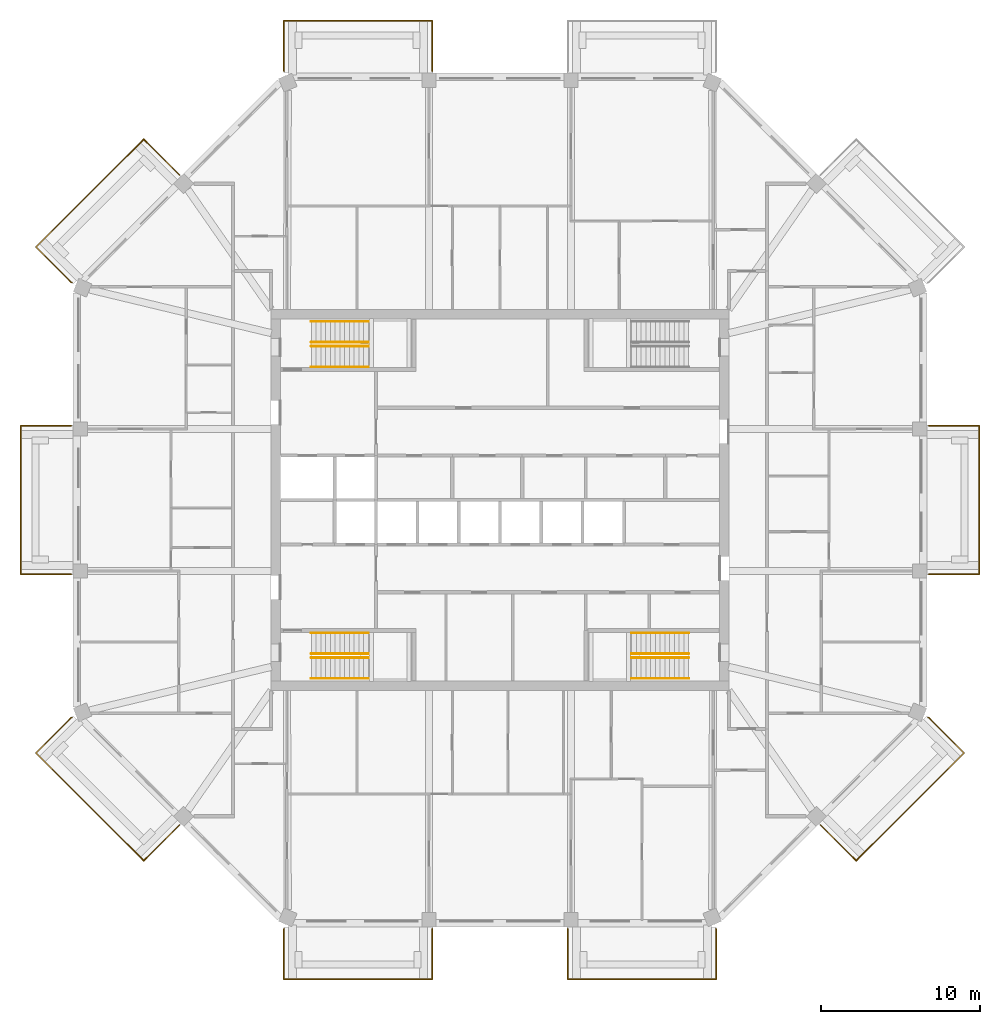
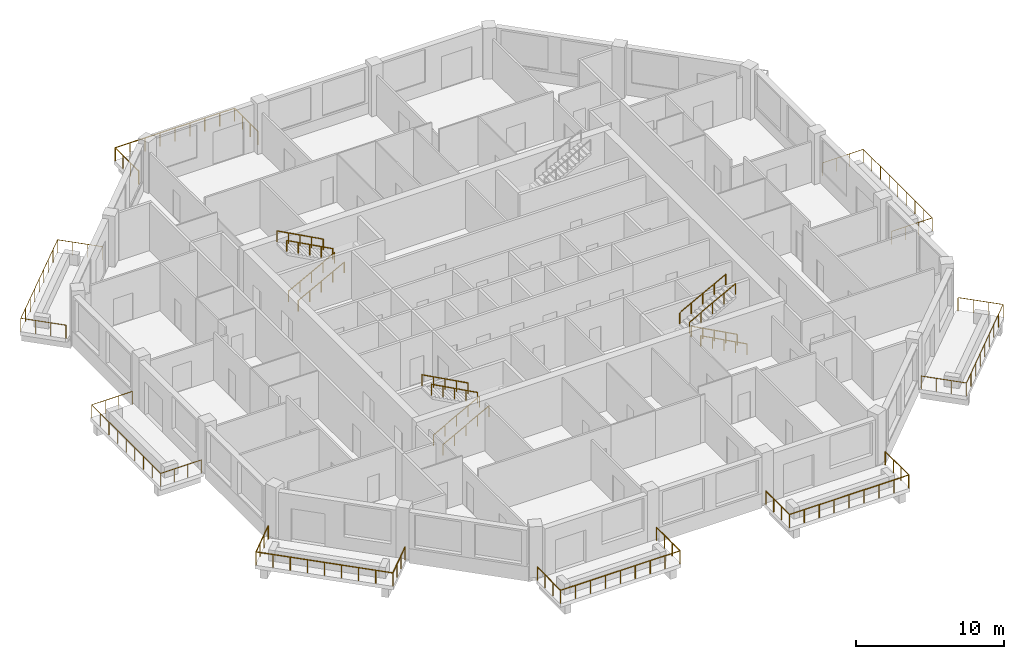
# One storey, part 11 of 12: 20 railings.
"""IFC4 building model written with IfcOpenShell, lengths in metres."""

from ifc_helpers import new_model, si_unit, direction, frame, origin, origin_2d, place, context, subcontext, project, spatial, circle, extrude, material, constituent, constituent_set, type_object, element, save


model = new_model("IFC4")

# Units and contexts
model_context = context("Model", 3, precision=1e-05, world=origin(), true_north=direction((0.0, 1.0)))
body_context = subcontext(model_context, "Body", "Model", "MODEL_VIEW")
ifc_project = project(units=[si_unit("LENGTHUNIT", "METRE"), si_unit("AREAUNIT", "SQUARE_METRE"), si_unit("VOLUMEUNIT", "CUBIC_METRE"), si_unit("PLANEANGLEUNIT", "RADIAN"), si_unit("MASSUNIT", "GRAM", prefix="KILO")], contexts=[model_context])

# Site, building, storey
site_placement = place(None, origin())
site = spatial("IfcSite", under=ifc_project, at=site_placement, CompositionType="ELEMENT")
building_placement = place(site_placement, origin())
building = spatial("IfcBuilding", under=site, at=building_placement, Name="Msitu Wima Residences", CompositionType="ELEMENT")
storey_placement = place(building_placement, frame((0.0, 0.0, 218.10009765625)))
storey = spatial("IfcBuildingStorey", under=building, at=storey_placement, Name="L50", CompositionType="ELEMENT", Elevation=218.10009765625)

# Railings
ifc_material_1 = material(Name="Steel S355", Category="steel")
ifc_constituent_1 = constituent(ifc_material_1, Name="Steel S355")
ifc_material_2 = material(Name="Weathering patina")
ifc_constituent_2 = constituent(ifc_material_2, Name="Weathering patina")
ifc_constituent_set_1 = constituent_set(constituents=[ifc_constituent_1, ifc_constituent_2], Name="Steel S355")
railing_type_1 = type_object("IfcRailingType", Name="Balcony guard GR1100", PredefinedType="GUARDRAIL", material=ifc_constituent_set_1)
railing_1_placement = place(storey_placement, frame((26.97998046875, 4.668701171875, 0.0)))
element("IfcRailing", 1, at=railing_1_placement, inside=storey, type_object=railing_type_1, Name="Balcony guard E1 L50", PredefinedType="GUARDRAIL", context=body_context, shape_type="SweptSolid", body=[
    extrude(circle(Radius=0.02392578125, at=origin_2d()), frame((0.0, 0.0, 1.076171875), z_axis=(1.0, 0.0, 0.0), x_axis=(0.0, 1.0, 0.0)), (0.0, 0.0, 1.0), 3.169921875),
    extrude(circle(Radius=0.02392578125, at=origin_2d()), frame((3.169921875, 0.0, 1.076171875), z_axis=(0.0, -1.0, 0.0), x_axis=(1.0, 0.0, 0.0)), (0.0, 0.0, 1.0), 9.33740234375),
    extrude(circle(Radius=0.02392578125, at=origin_2d()), frame((3.169921875, -9.33740234375, 1.076171875), z_axis=(-1.0, 0.0, 0.0), x_axis=(0.0, -1.0, 0.0)), (0.0, 0.0, 1.0), 3.169921875),
    extrude(circle(Radius=0.02099609375, at=origin_2d()), origin(), (0.0, 0.0, 1.0), 1.052001953125),
    extrude(circle(Radius=0.02099609375, at=origin_2d()), frame((1.056640625, 0.0, 0.0)), (0.0, 0.0, 1.0), 1.052001953125),
    extrude(circle(Radius=0.02099609375, at=origin_2d()), frame((2.11328125, 0.0, 0.0)), (0.0, 0.0, 1.0), 1.052001953125),
    extrude(circle(Radius=0.02099609375, at=origin_2d()), frame((3.169921875, 0.0, 0.0)), (0.0, 0.0, 1.0), 1.052001953125),
    extrude(circle(Radius=0.02099609375, at=origin_2d()), frame((3.169921875, -1.167236328125, 0.0)), (0.0, 0.0, 1.0), 1.052001953125),
    extrude(circle(Radius=0.02099609375, at=origin_2d()), frame((3.169921875, -2.33447265625, 0.0)), (0.0, 0.0, 1.0), 1.052001953125),
    extrude(circle(Radius=0.02099609375, at=origin_2d()), frame((3.169921875, -3.50146484375, 0.0)), (0.0, 0.0, 1.0), 1.052001953125),
    extrude(circle(Radius=0.02099609375, at=origin_2d()), frame((3.169921875, -4.668701171875, 0.0)), (0.0, 0.0, 1.0), 1.052001953125),
    extrude(circle(Radius=0.02099609375, at=origin_2d()), frame((3.169921875, -5.8359375, 0.0)), (0.0, 0.0, 1.0), 1.052001953125),
    extrude(circle(Radius=0.02099609375, at=origin_2d()), frame((3.169921875, -7.0029296875, 0.0)), (0.0, 0.0, 1.0), 1.052001953125),
    extrude(circle(Radius=0.02099609375, at=origin_2d()), frame((3.169921875, -8.170166015625, 0.0)), (0.0, 0.0, 1.0), 1.052001953125),
    extrude(circle(Radius=0.02099609375, at=origin_2d()), frame((3.169921875, -9.33740234375, 0.0)), (0.0, 0.0, 1.0), 1.052001953125),
    extrude(circle(Radius=0.02099609375, at=origin_2d()), frame((2.11328125, -9.33740234375, 0.0)), (0.0, 0.0, 1.0), 1.052001953125),
    extrude(circle(Radius=0.02099609375, at=origin_2d()), frame((1.056640625, -9.33740234375, 0.0)), (0.0, 0.0, 1.0), 1.052001953125),
    extrude(circle(Radius=0.02099609375, at=origin_2d()), frame((0.0, -9.33740234375, 0.0)), (0.0, 0.0, 1.0), 1.052001953125),
])
railing_2_placement = place(storey_placement, frame((-13.592041015625, 26.97998046875, 0.0)))
element("IfcRailing", 2, at=railing_2_placement, inside=storey, type_object=railing_type_1, Name="Balcony guard N2 L50", PredefinedType="GUARDRAIL", context=body_context, shape_type="SweptSolid", body=[
    extrude(circle(Radius=0.02392578125, at=origin_2d()), frame((0.0, 0.0, 1.076171875), z_axis=(-0.384136806859, 0.923276184907, 0.0), x_axis=(-0.923276184907, -0.384136806859, 0.0)), (0.0, 0.0, 1.0), 0.0361328125),
    extrude(circle(Radius=0.02392578125, at=origin_2d()), frame((-0.013916015625, 0.033447265625, 1.076171875), z_axis=(0.0, 1.0, 0.0), x_axis=(-1.0, 0.0, 0.0)), (0.0, 0.0, 1.0), 3.136474609375),
    extrude(circle(Radius=0.02392578125, at=origin_2d()), frame((-0.013916015625, 3.169921875, 1.076171875), z_axis=(1.0, 0.0, 0.0), x_axis=(0.0, 1.0, 0.0)), (0.0, 0.0, 1.0), 9.33740234375),
    extrude(circle(Radius=0.02392578125, at=origin_2d()), frame((9.323486328125, 3.169921875, 1.076171875), z_axis=(0.0, -1.0, 0.0), x_axis=(1.0, 0.0, 0.0)), (0.0, 0.0, 1.0), 3.169921875),
    extrude(circle(Radius=0.02099609375, at=origin_2d()), origin(), (0.0, 0.0, 1.0), 1.052001953125),
    extrude(circle(Radius=0.02099609375, at=origin_2d()), frame((-0.013916015625, 0.033447265625, 0.0)), (0.0, 0.0, 1.0), 1.052001953125),
    extrude(circle(Radius=0.02099609375, at=origin_2d()), frame((-0.013916015625, 1.078857421875, 0.0)), (0.0, 0.0, 1.0), 1.052001953125),
    extrude(circle(Radius=0.02099609375, at=origin_2d()), frame((-0.013916015625, 2.12451171875, 0.0)), (0.0, 0.0, 1.0), 1.052001953125),
    extrude(circle(Radius=0.02099609375, at=origin_2d()), frame((-0.013916015625, 3.169921875, 0.0)), (0.0, 0.0, 1.0), 1.052001953125),
    extrude(circle(Radius=0.02099609375, at=origin_2d()), frame((1.1533203125, 3.169921875, 0.0)), (0.0, 0.0, 1.0), 1.052001953125),
    extrude(circle(Radius=0.02099609375, at=origin_2d()), frame((2.3203125, 3.169921875, 0.0)), (0.0, 0.0, 1.0), 1.052001953125),
    extrude(circle(Radius=0.02099609375, at=origin_2d()), frame((3.487548828125, 3.169921875, 0.0)), (0.0, 0.0, 1.0), 1.052001953125),
    extrude(circle(Radius=0.02099609375, at=origin_2d()), frame((4.65478515625, 3.169921875, 0.0)), (0.0, 0.0, 1.0), 1.052001953125),
    extrude(circle(Radius=0.02099609375, at=origin_2d()), frame((5.822021484375, 3.169921875, 0.0)), (0.0, 0.0, 1.0), 1.052001953125),
    extrude(circle(Radius=0.02099609375, at=origin_2d()), frame((6.9892578125, 3.169921875, 0.0)), (0.0, 0.0, 1.0), 1.052001953125),
    extrude(circle(Radius=0.02099609375, at=origin_2d()), frame((8.15625, 3.169921875, 0.0)), (0.0, 0.0, 1.0), 1.052001953125),
    extrude(circle(Radius=0.02099609375, at=origin_2d()), frame((9.323486328125, 3.169921875, 0.0)), (0.0, 0.0, 1.0), 1.052001953125),
    extrude(circle(Radius=0.02099609375, at=origin_2d()), frame((9.323486328125, 2.11328125, 0.0)), (0.0, 0.0, 1.0), 1.052001953125),
    extrude(circle(Radius=0.02099609375, at=origin_2d()), frame((9.323486328125, 1.056640625, 0.0)), (0.0, 0.0, 1.0), 1.052001953125),
    extrude(circle(Radius=0.02099609375, at=origin_2d()), frame((9.323486328125, 0.0, 0.0)), (0.0, 0.0, 1.0), 1.052001953125),
])
railing_3_placement = place(storey_placement, frame((-26.941650390625, 13.684326171875, 0.0)))
element("IfcRailing", 3, at=railing_3_placement, inside=storey, type_object=railing_type_1, Name="Balcony guard NW1 L50", PredefinedType="GUARDRAIL", context=body_context, shape_type="SweptSolid", body=[
    extrude(circle(Radius=0.02392578125, at=origin_2d()), frame((0.0, 0.0, 1.076171875), z_axis=(-0.92426142649, 0.38176015442, 0.0), x_axis=(-0.38176015442, -0.92426142649, 0.0)), (0.0, 0.0, 1.0), 0.036376953125),
    extrude(circle(Radius=0.02392578125, at=origin_2d()), frame((-0.03369140625, 0.013916015625, 1.076171875), z_axis=(-0.707106781187, 0.707106781187, 0.0), x_axis=(-0.707106781187, -0.707106781187, 0.0)), (0.0, 0.0, 1.0), 3.136474609375),
    extrude(circle(Radius=0.02392578125, at=origin_2d()), frame((-2.25146484375, 2.231689453125, 1.076171875), z_axis=(0.707106781187, 0.707106781187, 0.0), x_axis=(-0.707106781187, 0.707106781187, 0.0)), (0.0, 0.0, 1.0), 9.58837890625),
    extrude(circle(Radius=0.02392578125, at=origin_2d()), frame((4.528564453125, 9.01171875, 1.076171875), z_axis=(0.707106781187, -0.707106781187, 0.0), x_axis=(0.707106781187, 0.707106781187, 0.0)), (0.0, 0.0, 1.0), 3.169921875),
    extrude(circle(Radius=0.02099609375, at=origin_2d()), origin(), (0.0, 0.0, 1.0), 1.052001953125),
    extrude(circle(Radius=0.02099609375, at=origin_2d()), frame((-0.03369140625, 0.013916015625, 0.0)), (0.0, 0.0, 1.0), 1.052001953125),
    extrude(circle(Radius=0.02099609375, at=origin_2d()), frame((-0.77294921875, 0.753173828125, 0.0)), (0.0, 0.0, 1.0), 1.052001953125),
    extrude(circle(Radius=0.02099609375, at=origin_2d()), frame((-1.51220703125, 1.492431640625, 0.0)), (0.0, 0.0, 1.0), 1.052001953125),
    extrude(circle(Radius=0.02099609375, at=origin_2d()), frame((-2.25146484375, 2.231689453125, 0.0)), (0.0, 0.0, 1.0), 1.052001953125),
    extrude(circle(Radius=0.02099609375, at=origin_2d()), frame((-1.404052734375, 3.0791015625, 0.0)), (0.0, 0.0, 1.0), 1.052001953125),
    extrude(circle(Radius=0.02099609375, at=origin_2d()), frame((-0.556396484375, 3.9267578125, 0.0)), (0.0, 0.0, 1.0), 1.052001953125),
    extrude(circle(Radius=0.02099609375, at=origin_2d()), frame((0.291015625, 4.774169921875, 0.0)), (0.0, 0.0, 1.0), 1.052001953125),
    extrude(circle(Radius=0.02099609375, at=origin_2d()), frame((1.138671875, 5.62158203125, 0.0)), (0.0, 0.0, 1.0), 1.052001953125),
    extrude(circle(Radius=0.02099609375, at=origin_2d()), frame((1.986083984375, 6.46923828125, 0.0)), (0.0, 0.0, 1.0), 1.052001953125),
    extrude(circle(Radius=0.02099609375, at=origin_2d()), frame((2.83349609375, 7.316650390625, 0.0)), (0.0, 0.0, 1.0), 1.052001953125),
    extrude(circle(Radius=0.02099609375, at=origin_2d()), frame((3.68115234375, 8.164306640625, 0.0)), (0.0, 0.0, 1.0), 1.052001953125),
    extrude(circle(Radius=0.02099609375, at=origin_2d()), frame((4.528564453125, 9.01171875, 0.0)), (0.0, 0.0, 1.0), 1.052001953125),
    extrude(circle(Radius=0.02099609375, at=origin_2d()), frame((5.275634765625, 8.2646484375, 0.0)), (0.0, 0.0, 1.0), 1.052001953125),
    extrude(circle(Radius=0.02099609375, at=origin_2d()), frame((6.02294921875, 7.517333984375, 0.0)), (0.0, 0.0, 1.0), 1.052001953125),
    extrude(circle(Radius=0.02099609375, at=origin_2d()), frame((6.77001953125, 6.770263671875, 0.0)), (0.0, 0.0, 1.0), 1.052001953125),
])
railing_4_placement = place(storey_placement, frame((-26.97998046875, -4.668701171875, 0.0)))
element("IfcRailing", 4, at=railing_4_placement, inside=storey, type_object=railing_type_1, Name="Balcony guard W1 L50", PredefinedType="GUARDRAIL", context=body_context, shape_type="SweptSolid", body=[
    extrude(circle(Radius=0.02392578125, at=origin_2d()), frame((0.0, 0.0, 1.076171875), z_axis=(-1.0, 0.0, 0.0), x_axis=(0.0, -1.0, 0.0)), (0.0, 0.0, 1.0), 3.169921875),
    extrude(circle(Radius=0.02392578125, at=origin_2d()), frame((-3.169921875, 0.0, 1.076171875), z_axis=(0.0, 1.0, 0.0), x_axis=(-1.0, 0.0, 0.0)), (0.0, 0.0, 1.0), 9.33740234375),
    extrude(circle(Radius=0.02392578125, at=origin_2d()), frame((-3.169921875, 9.33740234375, 1.076171875), z_axis=(1.0, 0.0, 0.0), x_axis=(0.0, 1.0, 0.0)), (0.0, 0.0, 1.0), 3.169921875),
    extrude(circle(Radius=0.02099609375, at=origin_2d()), origin(), (0.0, 0.0, 1.0), 1.052001953125),
    extrude(circle(Radius=0.02099609375, at=origin_2d()), frame((-1.056640625, 0.0, 0.0)), (0.0, 0.0, 1.0), 1.052001953125),
    extrude(circle(Radius=0.02099609375, at=origin_2d()), frame((-2.11328125, 0.0, 0.0)), (0.0, 0.0, 1.0), 1.052001953125),
    extrude(circle(Radius=0.02099609375, at=origin_2d()), frame((-3.169921875, 0.0, 0.0)), (0.0, 0.0, 1.0), 1.052001953125),
    extrude(circle(Radius=0.02099609375, at=origin_2d()), frame((-3.169921875, 1.167236328125, 0.0)), (0.0, 0.0, 1.0), 1.052001953125),
    extrude(circle(Radius=0.02099609375, at=origin_2d()), frame((-3.169921875, 2.33447265625, 0.0)), (0.0, 0.0, 1.0), 1.052001953125),
    extrude(circle(Radius=0.02099609375, at=origin_2d()), frame((-3.169921875, 3.50146484375, 0.0)), (0.0, 0.0, 1.0), 1.052001953125),
    extrude(circle(Radius=0.02099609375, at=origin_2d()), frame((-3.169921875, 4.668701171875, 0.0)), (0.0, 0.0, 1.0), 1.052001953125),
    extrude(circle(Radius=0.02099609375, at=origin_2d()), frame((-3.169921875, 5.8359375, 0.0)), (0.0, 0.0, 1.0), 1.052001953125),
    extrude(circle(Radius=0.02099609375, at=origin_2d()), frame((-3.169921875, 7.0029296875, 0.0)), (0.0, 0.0, 1.0), 1.052001953125),
    extrude(circle(Radius=0.02099609375, at=origin_2d()), frame((-3.169921875, 8.170166015625, 0.0)), (0.0, 0.0, 1.0), 1.052001953125),
    extrude(circle(Radius=0.02099609375, at=origin_2d()), frame((-3.169921875, 9.33740234375, 0.0)), (0.0, 0.0, 1.0), 1.052001953125),
    extrude(circle(Radius=0.02099609375, at=origin_2d()), frame((-2.11328125, 9.33740234375, 0.0)), (0.0, 0.0, 1.0), 1.052001953125),
    extrude(circle(Radius=0.02099609375, at=origin_2d()), frame((-1.056640625, 9.33740234375, 0.0)), (0.0, 0.0, 1.0), 1.052001953125),
    extrude(circle(Radius=0.02099609375, at=origin_2d()), frame((0.0, 9.33740234375, 0.0)), (0.0, 0.0, 1.0), 1.052001953125),
])
railing_5_placement = place(storey_placement, frame((-20.171630859375, -20.45458984375, 0.0)))
element("IfcRailing", 5, at=railing_5_placement, inside=storey, type_object=railing_type_1, Name="Balcony guard SW0 L50", PredefinedType="GUARDRAIL", context=body_context, shape_type="SweptSolid", body=[
    extrude(circle(Radius=0.02392578125, at=origin_2d()), frame((0.0, 0.0, 1.076171875), z_axis=(-0.707106781187, -0.707106781187, 0.0), x_axis=(0.707106781187, -0.707106781187, 0.0)), (0.0, 0.0, 1.0), 3.169921875),
    extrude(circle(Radius=0.02392578125, at=origin_2d()), frame((-2.241455078125, -2.241455078125, 1.076171875), z_axis=(-0.707106781187, 0.707106781187, 0.0), x_axis=(-0.707106781187, -0.707106781187, 0.0)), (0.0, 0.0, 1.0), 9.58837890625),
    extrude(circle(Radius=0.02392578125, at=origin_2d()), frame((-9.021484375, 4.53857421875, 1.076171875), z_axis=(0.707106781187, 0.707106781187, 0.0), x_axis=(-0.707106781187, 0.707106781187, 0.0)), (0.0, 0.0, 1.0), 3.136474609375),
    extrude(circle(Radius=0.02392578125, at=origin_2d()), frame((-6.8037109375, 6.75634765625, 1.076171875), z_axis=(0.92426142649, 0.38176015442, 0.0), x_axis=(-0.38176015442, 0.92426142649, 0.0)), (0.0, 0.0, 1.0), 0.036376953125),
    extrude(circle(Radius=0.02099609375, at=origin_2d()), origin(), (0.0, 0.0, 1.0), 1.052001953125),
    extrude(circle(Radius=0.02099609375, at=origin_2d()), frame((-0.7470703125, -0.7470703125, 0.0)), (0.0, 0.0, 1.0), 1.052001953125),
    extrude(circle(Radius=0.02099609375, at=origin_2d()), frame((-1.494384765625, -1.494384765625, 0.0)), (0.0, 0.0, 1.0), 1.052001953125),
    extrude(circle(Radius=0.02099609375, at=origin_2d()), frame((-2.241455078125, -2.241455078125, 0.0)), (0.0, 0.0, 1.0), 1.052001953125),
    extrude(circle(Radius=0.02099609375, at=origin_2d()), frame((-3.0888671875, -1.39404296875, 0.0)), (0.0, 0.0, 1.0), 1.052001953125),
    extrude(circle(Radius=0.02099609375, at=origin_2d()), frame((-3.9365234375, -0.54638671875, 0.0)), (0.0, 0.0, 1.0), 1.052001953125),
    extrude(circle(Radius=0.02099609375, at=origin_2d()), frame((-4.783935546875, 0.301025390625, 0.0)), (0.0, 0.0, 1.0), 1.052001953125),
    extrude(circle(Radius=0.02099609375, at=origin_2d()), frame((-5.63134765625, 1.1484375, 0.0)), (0.0, 0.0, 1.0), 1.052001953125),
    extrude(circle(Radius=0.02099609375, at=origin_2d()), frame((-6.47900390625, 1.99609375, 0.0)), (0.0, 0.0, 1.0), 1.052001953125),
    extrude(circle(Radius=0.02099609375, at=origin_2d()), frame((-7.326416015625, 2.843505859375, 0.0)), (0.0, 0.0, 1.0), 1.052001953125),
    extrude(circle(Radius=0.02099609375, at=origin_2d()), frame((-8.174072265625, 3.691162109375, 0.0)), (0.0, 0.0, 1.0), 1.052001953125),
    extrude(circle(Radius=0.02099609375, at=origin_2d()), frame((-9.021484375, 4.53857421875, 0.0)), (0.0, 0.0, 1.0), 1.052001953125),
    extrude(circle(Radius=0.02099609375, at=origin_2d()), frame((-8.2822265625, 5.27783203125, 0.0)), (0.0, 0.0, 1.0), 1.052001953125),
    extrude(circle(Radius=0.02099609375, at=origin_2d()), frame((-7.54296875, 6.01708984375, 0.0)), (0.0, 0.0, 1.0), 1.052001953125),
    extrude(circle(Radius=0.02099609375, at=origin_2d()), frame((-6.8037109375, 6.75634765625, 0.0)), (0.0, 0.0, 1.0), 1.052001953125),
    extrude(circle(Radius=0.02099609375, at=origin_2d()), frame((-6.77001953125, 6.770263671875, 0.0)), (0.0, 0.0, 1.0), 1.052001953125),
])
railing_6_placement = place(storey_placement, frame((-4.2685546875, -26.97998046875, 0.0)))
element("IfcRailing", 6, at=railing_6_placement, inside=storey, type_object=railing_type_1, Name="Balcony guard S0 L50", PredefinedType="GUARDRAIL", context=body_context, shape_type="SweptSolid", body=[
    extrude(circle(Radius=0.02392578125, at=origin_2d()), frame((0.0, 0.0, 1.076171875), z_axis=(0.0, -1.0, 0.0), x_axis=(1.0, 0.0, 0.0)), (0.0, 0.0, 1.0), 3.169921875),
    extrude(circle(Radius=0.02392578125, at=origin_2d()), frame((0.0, -3.169921875, 1.076171875), z_axis=(-1.0, 0.0, 0.0), x_axis=(0.0, -1.0, 0.0)), (0.0, 0.0, 1.0), 9.33740234375),
    extrude(circle(Radius=0.02392578125, at=origin_2d()), frame((-9.33740234375, -3.169921875, 1.076171875), z_axis=(0.0, 1.0, 0.0), x_axis=(-1.0, 0.0, 0.0)), (0.0, 0.0, 1.0), 3.136474609375),
    extrude(circle(Radius=0.02392578125, at=origin_2d()), frame((-9.33740234375, -0.033447265625, 1.076171875), z_axis=(0.384136806859, 0.923276184907, 0.0), x_axis=(-0.923276184907, 0.384136806859, 0.0)), (0.0, 0.0, 1.0), 0.0361328125),
    extrude(circle(Radius=0.02099609375, at=origin_2d()), origin(), (0.0, 0.0, 1.0), 1.052001953125),
    extrude(circle(Radius=0.02099609375, at=origin_2d()), frame((0.0, -1.056640625, 0.0)), (0.0, 0.0, 1.0), 1.052001953125),
    extrude(circle(Radius=0.02099609375, at=origin_2d()), frame((0.0, -2.11328125, 0.0)), (0.0, 0.0, 1.0), 1.052001953125),
    extrude(circle(Radius=0.02099609375, at=origin_2d()), frame((0.0, -3.169921875, 0.0)), (0.0, 0.0, 1.0), 1.052001953125),
    extrude(circle(Radius=0.02099609375, at=origin_2d()), frame((-1.167236328125, -3.169921875, 0.0)), (0.0, 0.0, 1.0), 1.052001953125),
    extrude(circle(Radius=0.02099609375, at=origin_2d()), frame((-2.33447265625, -3.169921875, 0.0)), (0.0, 0.0, 1.0), 1.052001953125),
    extrude(circle(Radius=0.02099609375, at=origin_2d()), frame((-3.50146484375, -3.169921875, 0.0)), (0.0, 0.0, 1.0), 1.052001953125),
    extrude(circle(Radius=0.02099609375, at=origin_2d()), frame((-4.668701171875, -3.169921875, 0.0)), (0.0, 0.0, 1.0), 1.052001953125),
    extrude(circle(Radius=0.02099609375, at=origin_2d()), frame((-5.8359375, -3.169921875, 0.0)), (0.0, 0.0, 1.0), 1.052001953125),
    extrude(circle(Radius=0.02099609375, at=origin_2d()), frame((-7.0029296875, -3.169921875, 0.0)), (0.0, 0.0, 1.0), 1.052001953125),
    extrude(circle(Radius=0.02099609375, at=origin_2d()), frame((-8.170166015625, -3.169921875, 0.0)), (0.0, 0.0, 1.0), 1.052001953125),
    extrude(circle(Radius=0.02099609375, at=origin_2d()), frame((-9.33740234375, -3.169921875, 0.0)), (0.0, 0.0, 1.0), 1.052001953125),
    extrude(circle(Radius=0.02099609375, at=origin_2d()), frame((-9.33740234375, -2.12451171875, 0.0)), (0.0, 0.0, 1.0), 1.052001953125),
    extrude(circle(Radius=0.02099609375, at=origin_2d()), frame((-9.33740234375, -1.078857421875, 0.0)), (0.0, 0.0, 1.0), 1.052001953125),
    extrude(circle(Radius=0.02099609375, at=origin_2d()), frame((-9.33740234375, -0.033447265625, 0.0)), (0.0, 0.0, 1.0), 1.052001953125),
    extrude(circle(Radius=0.02099609375, at=origin_2d()), frame((-9.323486328125, 0.0, 0.0)), (0.0, 0.0, 1.0), 1.052001953125),
])
railing_7_placement = place(storey_placement, frame((13.592041015625, -26.97998046875, 0.0)))
element("IfcRailing", 7, at=railing_7_placement, inside=storey, type_object=railing_type_1, Name="Balcony guard S2 L50", PredefinedType="GUARDRAIL", context=body_context, shape_type="SweptSolid", body=[
    extrude(circle(Radius=0.02392578125, at=origin_2d()), frame((0.0, 0.0, 1.076171875), z_axis=(0.384136806859, -0.923276184907, 0.0), x_axis=(0.923276184907, 0.384136806859, 0.0)), (0.0, 0.0, 1.0), 0.0361328125),
    extrude(circle(Radius=0.02392578125, at=origin_2d()), frame((0.013916015625, -0.033447265625, 1.076171875), z_axis=(0.0, -1.0, 0.0), x_axis=(1.0, 0.0, 0.0)), (0.0, 0.0, 1.0), 3.136474609375),
    extrude(circle(Radius=0.02392578125, at=origin_2d()), frame((0.013916015625, -3.169921875, 1.076171875), z_axis=(-1.0, 0.0, 0.0), x_axis=(0.0, -1.0, 0.0)), (0.0, 0.0, 1.0), 9.33740234375),
    extrude(circle(Radius=0.02392578125, at=origin_2d()), frame((-9.323486328125, -3.169921875, 1.076171875), z_axis=(0.0, 1.0, 0.0), x_axis=(-1.0, 0.0, 0.0)), (0.0, 0.0, 1.0), 3.169921875),
    extrude(circle(Radius=0.02099609375, at=origin_2d()), origin(), (0.0, 0.0, 1.0), 1.052001953125),
    extrude(circle(Radius=0.02099609375, at=origin_2d()), frame((0.013916015625, -0.033447265625, 0.0)), (0.0, 0.0, 1.0), 1.052001953125),
    extrude(circle(Radius=0.02099609375, at=origin_2d()), frame((0.013916015625, -1.078857421875, 0.0)), (0.0, 0.0, 1.0), 1.052001953125),
    extrude(circle(Radius=0.02099609375, at=origin_2d()), frame((0.013916015625, -2.12451171875, 0.0)), (0.0, 0.0, 1.0), 1.052001953125),
    extrude(circle(Radius=0.02099609375, at=origin_2d()), frame((0.013916015625, -3.169921875, 0.0)), (0.0, 0.0, 1.0), 1.052001953125),
    extrude(circle(Radius=0.02099609375, at=origin_2d()), frame((-1.1533203125, -3.169921875, 0.0)), (0.0, 0.0, 1.0), 1.052001953125),
    extrude(circle(Radius=0.02099609375, at=origin_2d()), frame((-2.3203125, -3.169921875, 0.0)), (0.0, 0.0, 1.0), 1.052001953125),
    extrude(circle(Radius=0.02099609375, at=origin_2d()), frame((-3.487548828125, -3.169921875, 0.0)), (0.0, 0.0, 1.0), 1.052001953125),
    extrude(circle(Radius=0.02099609375, at=origin_2d()), frame((-4.65478515625, -3.169921875, 0.0)), (0.0, 0.0, 1.0), 1.052001953125),
    extrude(circle(Radius=0.02099609375, at=origin_2d()), frame((-5.822021484375, -3.169921875, 0.0)), (0.0, 0.0, 1.0), 1.052001953125),
    extrude(circle(Radius=0.02099609375, at=origin_2d()), frame((-6.9892578125, -3.169921875, 0.0)), (0.0, 0.0, 1.0), 1.052001953125),
    extrude(circle(Radius=0.02099609375, at=origin_2d()), frame((-8.15625, -3.169921875, 0.0)), (0.0, 0.0, 1.0), 1.052001953125),
    extrude(circle(Radius=0.02099609375, at=origin_2d()), frame((-9.323486328125, -3.169921875, 0.0)), (0.0, 0.0, 1.0), 1.052001953125),
    extrude(circle(Radius=0.02099609375, at=origin_2d()), frame((-9.323486328125, -2.11328125, 0.0)), (0.0, 0.0, 1.0), 1.052001953125),
    extrude(circle(Radius=0.02099609375, at=origin_2d()), frame((-9.323486328125, -1.056640625, 0.0)), (0.0, 0.0, 1.0), 1.052001953125),
    extrude(circle(Radius=0.02099609375, at=origin_2d()), frame((-9.323486328125, 0.0, 0.0)), (0.0, 0.0, 1.0), 1.052001953125),
])
railing_8_placement = place(storey_placement, frame((26.941650390625, -13.684326171875, 0.0)))
element("IfcRailing", 8, at=railing_8_placement, inside=storey, type_object=railing_type_1, Name="Balcony guard SE1 L50", PredefinedType="GUARDRAIL", context=body_context, shape_type="SweptSolid", body=[
    extrude(circle(Radius=0.02392578125, at=origin_2d()), frame((0.0, 0.0, 1.076171875), z_axis=(0.92426142649, -0.38176015442, 0.0), x_axis=(0.38176015442, 0.92426142649, 0.0)), (0.0, 0.0, 1.0), 0.036376953125),
    extrude(circle(Radius=0.02392578125, at=origin_2d()), frame((0.03369140625, -0.013916015625, 1.076171875), z_axis=(0.707106781187, -0.707106781187, 0.0), x_axis=(0.707106781187, 0.707106781187, 0.0)), (0.0, 0.0, 1.0), 3.136474609375),
    extrude(circle(Radius=0.02392578125, at=origin_2d()), frame((2.25146484375, -2.231689453125, 1.076171875), z_axis=(-0.707106781187, -0.707106781187, 0.0), x_axis=(0.707106781187, -0.707106781187, 0.0)), (0.0, 0.0, 1.0), 9.58837890625),
    extrude(circle(Radius=0.02392578125, at=origin_2d()), frame((-4.528564453125, -9.01171875, 1.076171875), z_axis=(-0.707106781187, 0.707106781187, 0.0), x_axis=(-0.707106781187, -0.707106781187, 0.0)), (0.0, 0.0, 1.0), 3.169921875),
    extrude(circle(Radius=0.02099609375, at=origin_2d()), origin(), (0.0, 0.0, 1.0), 1.052001953125),
    extrude(circle(Radius=0.02099609375, at=origin_2d()), frame((0.03369140625, -0.013916015625, 0.0)), (0.0, 0.0, 1.0), 1.052001953125),
    extrude(circle(Radius=0.02099609375, at=origin_2d()), frame((0.77294921875, -0.753173828125, 0.0)), (0.0, 0.0, 1.0), 1.052001953125),
    extrude(circle(Radius=0.02099609375, at=origin_2d()), frame((1.51220703125, -1.492431640625, 0.0)), (0.0, 0.0, 1.0), 1.052001953125),
    extrude(circle(Radius=0.02099609375, at=origin_2d()), frame((2.25146484375, -2.231689453125, 0.0)), (0.0, 0.0, 1.0), 1.052001953125),
    extrude(circle(Radius=0.02099609375, at=origin_2d()), frame((1.404052734375, -3.0791015625, 0.0)), (0.0, 0.0, 1.0), 1.052001953125),
    extrude(circle(Radius=0.02099609375, at=origin_2d()), frame((0.556396484375, -3.9267578125, 0.0)), (0.0, 0.0, 1.0), 1.052001953125),
    extrude(circle(Radius=0.02099609375, at=origin_2d()), frame((-0.291015625, -4.774169921875, 0.0)), (0.0, 0.0, 1.0), 1.052001953125),
    extrude(circle(Radius=0.02099609375, at=origin_2d()), frame((-1.138671875, -5.62158203125, 0.0)), (0.0, 0.0, 1.0), 1.052001953125),
    extrude(circle(Radius=0.02099609375, at=origin_2d()), frame((-1.986083984375, -6.46923828125, 0.0)), (0.0, 0.0, 1.0), 1.052001953125),
    extrude(circle(Radius=0.02099609375, at=origin_2d()), frame((-2.83349609375, -7.316650390625, 0.0)), (0.0, 0.0, 1.0), 1.052001953125),
    extrude(circle(Radius=0.02099609375, at=origin_2d()), frame((-3.68115234375, -8.164306640625, 0.0)), (0.0, 0.0, 1.0), 1.052001953125),
    extrude(circle(Radius=0.02099609375, at=origin_2d()), frame((-4.528564453125, -9.01171875, 0.0)), (0.0, 0.0, 1.0), 1.052001953125),
    extrude(circle(Radius=0.02099609375, at=origin_2d()), frame((-5.275634765625, -8.2646484375, 0.0)), (0.0, 0.0, 1.0), 1.052001953125),
    extrude(circle(Radius=0.02099609375, at=origin_2d()), frame((-6.02294921875, -7.517333984375, 0.0)), (0.0, 0.0, 1.0), 1.052001953125),
    extrude(circle(Radius=0.02099609375, at=origin_2d()), frame((-6.77001953125, -6.770263671875, 0.0)), (0.0, 0.0, 1.0), 1.052001953125),
])
ifc_constituent_3 = constituent(ifc_material_1, Name="Steel S355")
ifc_material_3 = material(Name="Black powder coating")
ifc_constituent_4 = constituent(ifc_material_3, Name="Black powder coating")
ifc_constituent_set_2 = constituent_set(constituents=[ifc_constituent_3, ifc_constituent_4], Name="Steel S355")
railing_type_2 = type_object("IfcRailingType", Name="Stair handrail HR1", PredefinedType="HANDRAIL", material=ifc_constituent_set_2)
for number, where, name in (
    (9, (-11.875, 8.375, 0.161376953125), "Stair 1 handrail"),
    (10, (-11.875, 9.675048828125, 0.161376953125), "Stair 1 handrail"),
):
    element("IfcRailing", number, at=place(storey_placement, frame(where)), inside=storey, type_object=railing_type_2, Name=name, PredefinedType="HANDRAIL", context=body_context, shape_type="SweptSolid", body=[
        extrude(circle(Radius=0.02392578125, at=origin_2d()), frame((0.0, 0.0, 0.8759765625), z_axis=(0.880474934443, 0.0, 0.474092701714), x_axis=(0.0, 1.0, 0.0)), (0.0, 0.0, 1.0), 4.0888671875),
        extrude(circle(Radius=0.02099609375, at=origin_2d()), origin(), (0.0, 0.0, 1.0), 0.851806640625),
        extrude(circle(Radius=0.02099609375, at=origin_2d()), frame((0.89990234375, 0.0, 0.484619140625)), (0.0, 0.0, 1.0), 0.851806640625),
        extrude(circle(Radius=0.02099609375, at=origin_2d()), frame((1.800048828125, 0.0, 0.96923828125)), (0.0, 0.0, 1.0), 0.851806640625),
        extrude(circle(Radius=0.02099609375, at=origin_2d()), frame((2.7001953125, 0.0, 1.453857421875)), (0.0, 0.0, 1.0), 0.851806640625),
        extrude(circle(Radius=0.02099609375, at=origin_2d()), frame((3.60009765625, 0.0, 1.9384765625)), (0.0, 0.0, 1.0), 0.851806640625),
    ])
for number, where, name in (
    (11, (-8.27490234375, 9.925048828125, 2.261474609375), "Stair 1 handrail"),
    (12, (-8.27490234375, 11.22509765625, 2.261474609375), "Stair 1 handrail"),
):
    element("IfcRailing", number, at=place(storey_placement, frame(where)), inside=storey, type_object=railing_type_2, Name=name, PredefinedType="HANDRAIL", context=body_context, shape_type="SweptSolid", body=[
        extrude(circle(Radius=0.02392578125, at=origin_2d()), frame((0.0, 0.0, 0.8759765625), z_axis=(-0.880474934443, 0.0, 0.474092701714), x_axis=(0.0, -1.0, 0.0)), (0.0, 0.0, 1.0), 4.0888671875),
        extrude(circle(Radius=0.02099609375, at=origin_2d()), origin(), (0.0, 0.0, 1.0), 0.851806640625),
        extrude(circle(Radius=0.02099609375, at=origin_2d()), frame((-0.89990234375, 0.0, 0.484619140625)), (0.0, 0.0, 1.0), 0.851806640625),
        extrude(circle(Radius=0.02099609375, at=origin_2d()), frame((-1.800048828125, 0.0, 0.96923828125)), (0.0, 0.0, 1.0), 0.851806640625),
        extrude(circle(Radius=0.02099609375, at=origin_2d()), frame((-2.7001953125, 0.0, 1.453857421875)), (0.0, 0.0, 1.0), 0.851806640625),
        extrude(circle(Radius=0.02099609375, at=origin_2d()), frame((-3.60009765625, 0.0, 1.9384765625)), (0.0, 0.0, 1.0), 0.851806640625),
    ])
for number, where, name in (
    (13, (-11.875, -11.22509765625, 0.161376953125), "Stair 2 handrail"),
    (14, (-11.875, -9.925048828125, 0.161376953125), "Stair 2 handrail"),
):
    element("IfcRailing", number, at=place(storey_placement, frame(where)), inside=storey, type_object=railing_type_2, Name=name, PredefinedType="HANDRAIL", context=body_context, shape_type="SweptSolid", body=[
        extrude(circle(Radius=0.02392578125, at=origin_2d()), frame((0.0, 0.0, 0.8759765625), z_axis=(0.880474934443, 0.0, 0.474092701714), x_axis=(0.0, 1.0, 0.0)), (0.0, 0.0, 1.0), 4.0888671875),
        extrude(circle(Radius=0.02099609375, at=origin_2d()), origin(), (0.0, 0.0, 1.0), 0.851806640625),
        extrude(circle(Radius=0.02099609375, at=origin_2d()), frame((0.89990234375, 0.0, 0.484619140625)), (0.0, 0.0, 1.0), 0.851806640625),
        extrude(circle(Radius=0.02099609375, at=origin_2d()), frame((1.800048828125, 0.0, 0.96923828125)), (0.0, 0.0, 1.0), 0.851806640625),
        extrude(circle(Radius=0.02099609375, at=origin_2d()), frame((2.7001953125, 0.0, 1.453857421875)), (0.0, 0.0, 1.0), 0.851806640625),
        extrude(circle(Radius=0.02099609375, at=origin_2d()), frame((3.60009765625, 0.0, 1.9384765625)), (0.0, 0.0, 1.0), 0.851806640625),
    ])
for number, where, name in (
    (15, (-8.27490234375, -9.675048828125, 2.261474609375), "Stair 2 handrail"),
    (16, (-8.27490234375, -8.375, 2.261474609375), "Stair 2 handrail"),
    (17, (11.875, -11.22509765625, 0.161376953125), "Stair 4 handrail"),
    (18, (11.875, -9.925048828125, 0.161376953125), "Stair 4 handrail"),
):
    element("IfcRailing", number, at=place(storey_placement, frame(where)), inside=storey, type_object=railing_type_2, Name=name, PredefinedType="HANDRAIL", context=body_context, shape_type="SweptSolid", body=[
        extrude(circle(Radius=0.02392578125, at=origin_2d()), frame((0.0, 0.0, 0.8759765625), z_axis=(-0.880474934443, 0.0, 0.474092701714), x_axis=(0.0, -1.0, 0.0)), (0.0, 0.0, 1.0), 4.0888671875),
        extrude(circle(Radius=0.02099609375, at=origin_2d()), origin(), (0.0, 0.0, 1.0), 0.851806640625),
        extrude(circle(Radius=0.02099609375, at=origin_2d()), frame((-0.89990234375, 0.0, 0.484619140625)), (0.0, 0.0, 1.0), 0.851806640625),
        extrude(circle(Radius=0.02099609375, at=origin_2d()), frame((-1.800048828125, 0.0, 0.96923828125)), (0.0, 0.0, 1.0), 0.851806640625),
        extrude(circle(Radius=0.02099609375, at=origin_2d()), frame((-2.7001953125, 0.0, 1.453857421875)), (0.0, 0.0, 1.0), 0.851806640625),
        extrude(circle(Radius=0.02099609375, at=origin_2d()), frame((-3.60009765625, 0.0, 1.9384765625)), (0.0, 0.0, 1.0), 0.851806640625),
    ])
for number, where, name in (
    (19, (8.27490234375, -9.675048828125, 2.261474609375), "Stair 4 handrail"),
    (20, (8.27490234375, -8.375, 2.261474609375), "Stair 4 handrail"),
):
    element("IfcRailing", number, at=place(storey_placement, frame(where)), inside=storey, type_object=railing_type_2, Name=name, PredefinedType="HANDRAIL", context=body_context, shape_type="SweptSolid", body=[
        extrude(circle(Radius=0.02392578125, at=origin_2d()), frame((0.0, 0.0, 0.8759765625), z_axis=(0.880474934443, 0.0, 0.474092701714), x_axis=(0.0, 1.0, 0.0)), (0.0, 0.0, 1.0), 4.0888671875),
        extrude(circle(Radius=0.02099609375, at=origin_2d()), origin(), (0.0, 0.0, 1.0), 0.851806640625),
        extrude(circle(Radius=0.02099609375, at=origin_2d()), frame((0.89990234375, 0.0, 0.484619140625)), (0.0, 0.0, 1.0), 0.851806640625),
        extrude(circle(Radius=0.02099609375, at=origin_2d()), frame((1.800048828125, 0.0, 0.96923828125)), (0.0, 0.0, 1.0), 0.851806640625),
        extrude(circle(Radius=0.02099609375, at=origin_2d()), frame((2.7001953125, 0.0, 1.453857421875)), (0.0, 0.0, 1.0), 0.851806640625),
        extrude(circle(Radius=0.02099609375, at=origin_2d()), frame((3.60009765625, 0.0, 1.9384765625)), (0.0, 0.0, 1.0), 0.851806640625),
    ])

save(model, "model.ifc")
